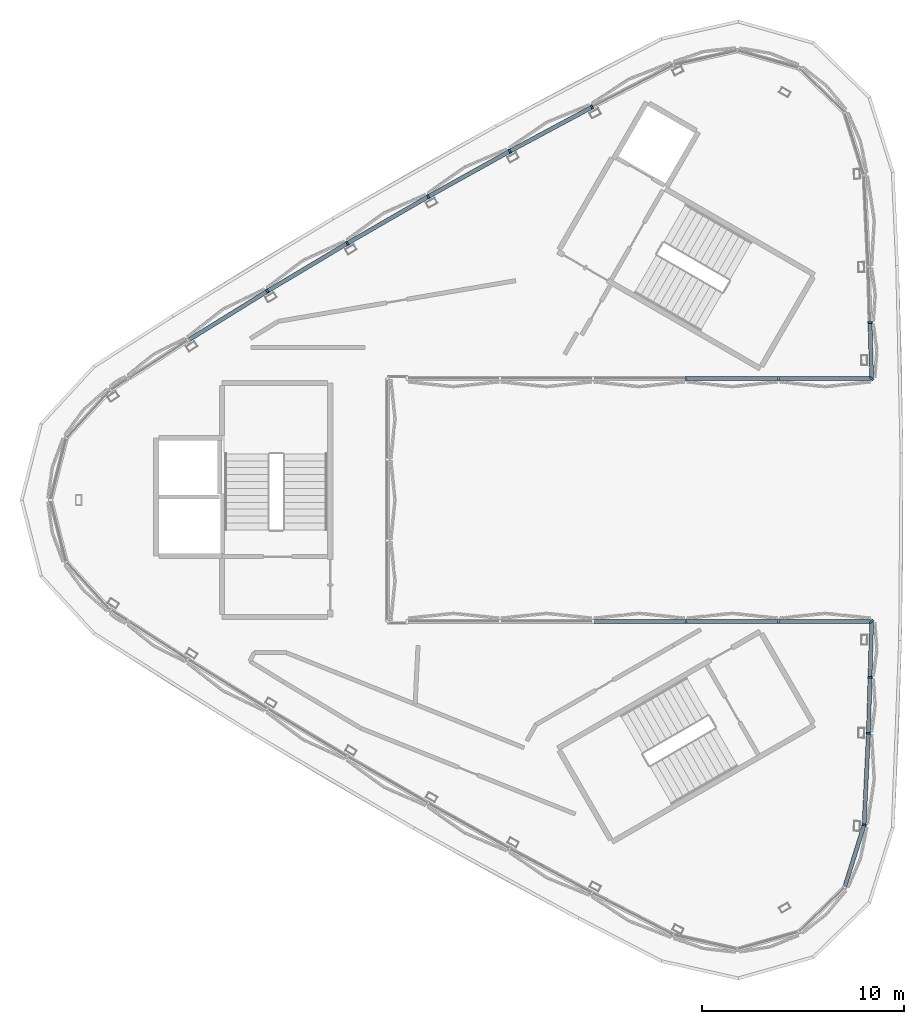
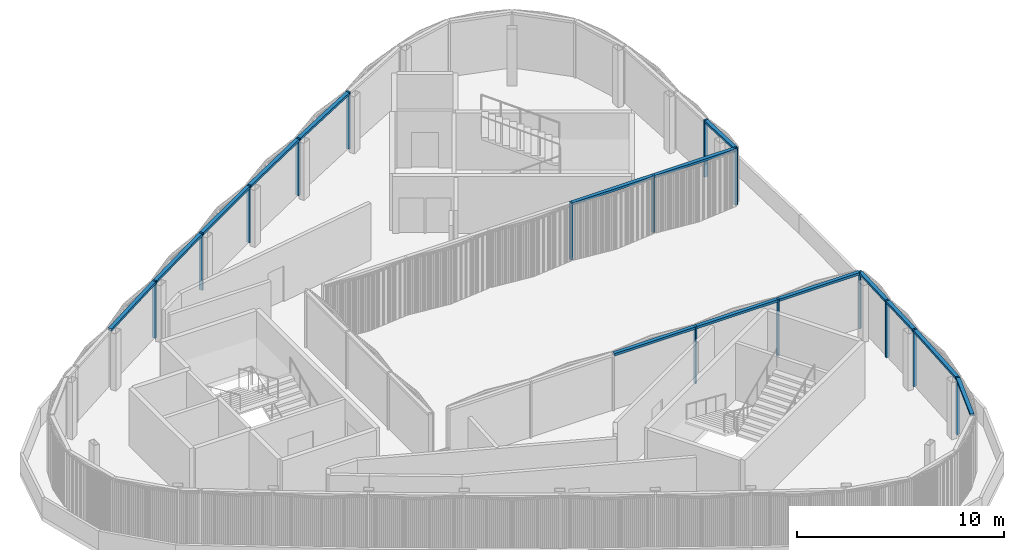
# One storey, part 4 of 16: 27 members, 2 elements without a shape of their own.
"""IFC4 building model written with IfcOpenShell, lengths in metres."""

from ifc_helpers import new_model, si_unit, direction, frame, origin, origin_2d, place, context, subcontext, project, spatial, rectangle, extrude, material, material_profile, profile_set, type_object, element, aggregate, save


model = new_model("IFC4")

# Units and contexts
model_context = context("Model", 3, precision=1e-05, world=origin(), true_north=direction((0.0, 1.0)))
body_context = subcontext(model_context, "Body", "Model", "MODEL_VIEW")
ifc_project = project(units=[si_unit("LENGTHUNIT", "METRE"), si_unit("AREAUNIT", "SQUARE_METRE"), si_unit("VOLUMEUNIT", "CUBIC_METRE"), si_unit("PLANEANGLEUNIT", "RADIAN"), si_unit("MASSUNIT", "GRAM", prefix="KILO")], contexts=[model_context])

# Site, building, storey
site_placement = place(None, origin())
site = spatial("IfcSite", under=ifc_project, at=site_placement, CompositionType="ELEMENT")
building_placement = place(site_placement, origin())
building = spatial("IfcBuilding", under=site, at=building_placement, Name="Tamra Quay Hotel Tower", CompositionType="ELEMENT")
storey_placement = place(building_placement, frame((0.0, 0.0, 320.60009765625)))
storey = spatial("IfcBuildingStorey", under=building, at=storey_placement, Name="Roof crown 1", CompositionType="ELEMENT", Elevation=320.60009765625)

# Curtain wall, members
ifc_material = material(Name="Aluminium 6063 anodised dark grey", Category="aluminium")
curtain_wall_type = type_object("IfcCurtainWallType", Name="CW6 CURTAIN WALL", PredefinedType="NOTDEFINED", material=ifc_material)
curtain_wall_1_placement = place(storey_placement, origin())
curtain_wall_1 = element("IfcCurtainWall", 1, at=curtain_wall_1_placement, inside=storey, type_object=curtain_wall_type, Name="CW6 lantern A face Roof crown 1", PredefinedType="NOTDEFINED")
ifc_material_profile_1 = material_profile(ifc_material, rectangle(XDim=0.199951171875, YDim=0.10009765625, at=origin_2d()), Name="MULLION 100X200")
ifc_profile_set_1 = profile_set([ifc_material_profile_1], Name="Aluminium 6063 anodised dark grey")
member_type_1 = type_object("IfcMemberType", Name="MULLION CW6", PredefinedType="MULLION", material=ifc_profile_set_1)
member_1_placement = place(storey_placement, frame((2.10009765625, 19.419677734375, 0.0), z_axis=(0.0, 0.0, 1.0), x_axis=(-0.465815600445, 0.884881814923, 0.0)))
member_1 = element("IfcMember", 2, at=member_1_placement, type_object=member_type_1, Name="CW6 mullion Roof crown 1.A.7", PredefinedType="MULLION", context=body_context, shape_type="SweptSolid", body=[
    extrude(rectangle(XDim=0.199951171875, YDim=0.10009765625, at=origin_2d()), origin(), (0.0, 0.0, 1.0), 3.349853515625),
])
member_2_placement = place(storey_placement, frame((-1.96435546875, 17.239501953125, 0.0), z_axis=(0.0, 0.0, 1.0), x_axis=(-0.479565116943, 0.877506295483, 0.0)))
member_2 = element("IfcMember", 3, at=member_2_placement, type_object=member_type_1, Name="CW6 mullion Roof crown 1.A.8", PredefinedType="MULLION", context=body_context, shape_type="SweptSolid", body=[
    extrude(rectangle(XDim=0.199951171875, YDim=0.10009765625, at=origin_2d()), origin(), (0.0, 0.0, 1.0), 3.349853515625),
])
member_3_placement = place(storey_placement, frame((-5.99462890625, 14.995849609375, 0.0), z_axis=(0.0, 0.0, 1.0), x_axis=(-0.493215722033, 0.869907036148, 0.0)))
member_3 = element("IfcMember", 4, at=member_3_placement, type_object=member_type_1, Name="CW6 mullion Roof crown 1.A.9", PredefinedType="MULLION", context=body_context, shape_type="SweptSolid", body=[
    extrude(rectangle(XDim=0.199951171875, YDim=0.10009765625, at=origin_2d()), origin(), (0.0, 0.0, 1.0), 3.349853515625),
])
member_4_placement = place(storey_placement, frame((-9.989501953125, 12.689453125, 0.0), z_axis=(0.0, 0.0, 1.0), x_axis=(-0.506753731218, 0.862090862901, 0.0)))
member_4 = element("IfcMember", 5, at=member_4_placement, type_object=member_type_1, Name="CW6 mullion Roof crown 1.A.10", PredefinedType="MULLION", context=body_context, shape_type="SweptSolid", body=[
    extrude(rectangle(XDim=0.199951171875, YDim=0.10009765625, at=origin_2d()), origin(), (0.0, 0.0, 1.0), 3.349853515625),
])
member_5_placement = place(storey_placement, frame((-13.947509765625, 10.321044921875, 0.0), z_axis=(0.0, 0.0, 1.0), x_axis=(-0.520160185397, 0.854068721783, 0.0)))
member_5 = element("IfcMember", 6, at=member_5_placement, type_object=member_type_1, Name="CW6 mullion Roof crown 1.A.11", PredefinedType="MULLION", context=body_context, shape_type="SweptSolid", body=[
    extrude(rectangle(XDim=0.199951171875, YDim=0.10009765625, at=origin_2d()), origin(), (0.0, 0.0, 1.0), 3.349853515625),
])
member_6_placement = place(storey_placement, frame((6.740966796875, 6.0, 0.0), z_axis=(0.0, 0.0, 1.0), x_axis=(0.0, -1.0, 0.0)))
member_6 = element("IfcMember", 7, at=member_6_placement, type_object=member_type_1, Name="CW6 mullion Roof crown 1.A.16", PredefinedType="MULLION", context=body_context, shape_type="SweptSolid", body=[
    extrude(rectangle(XDim=0.199951171875, YDim=0.10009765625, at=origin_2d()), origin(), (0.0, 0.0, 1.0), 3.349853515625),
])
member_7_placement = place(storey_placement, frame((11.333740234375, 6.0, 0.0), z_axis=(0.0, 0.0, 1.0), x_axis=(0.0, -1.0, 0.0)))
member_7 = element("IfcMember", 8, at=member_7_placement, type_object=member_type_1, Name="CW6 mullion Roof crown 1.A.17", PredefinedType="MULLION", context=body_context, shape_type="SweptSolid", body=[
    extrude(rectangle(XDim=0.199951171875, YDim=0.10009765625, at=origin_2d()), origin(), (0.0, 0.0, 1.0), 3.349853515625),
])
member_8_placement = place(storey_placement, frame((15.92626953125, 6.0, 0.0), z_axis=(0.0, 0.0, 1.0), x_axis=(0.717164497017, -0.696903927538, 0.0)))
member_8 = element("IfcMember", 9, at=member_8_placement, type_object=member_type_1, Name="CW6 mullion Roof crown 1.A.18", PredefinedType="MULLION", context=body_context, shape_type="SweptSolid", body=[
    extrude(rectangle(XDim=0.199951171875, YDim=0.10009765625, at=origin_2d()), origin(), (0.0, 0.0, 1.0), 3.349853515625),
])
member_9_placement = place(storey_placement, frame((15.84716796875, 8.76416015625, 0.0), z_axis=(0.0, 0.0, 1.0), x_axis=(0.999589509324, 0.028649831581, 0.0)))
member_9 = element("IfcMember", 10, at=member_9_placement, type_object=member_type_1, Name="CW6 mullion Roof crown 1.A.19", PredefinedType="MULLION", context=body_context, shape_type="SweptSolid", body=[
    extrude(rectangle(XDim=0.199951171875, YDim=0.10009765625, at=origin_2d()), origin(), (0.0, 0.0, 1.0), 3.349853515625),
])

curtain_wall_2_placement = place(storey_placement, origin())
curtain_wall_2 = element("IfcCurtainWall", 11, at=curtain_wall_2_placement, inside=storey, type_object=curtain_wall_type, Name="CW6 lantern B face Roof crown 1", PredefinedType="NOTDEFINED")
member_10_placement = place(storey_placement, frame((15.92626953125, -6.0, 0.0), z_axis=(0.0, 0.0, 1.0), x_axis=(0.717164497017, 0.696903927538, 0.0)))
member_10 = element("IfcMember", 12, at=member_10_placement, type_object=member_type_1, Name="CW6 mullion Roof crown 1.B.1", PredefinedType="MULLION", context=body_context, shape_type="SweptSolid", body=[
    extrude(rectangle(XDim=0.199951171875, YDim=0.10009765625, at=origin_2d()), origin(), (0.0, 0.0, 1.0), 3.349853515625),
])
member_11_placement = place(storey_placement, frame((11.333740234375, -6.0, 0.0), z_axis=(0.0, 0.0, 1.0), x_axis=(0.0, 1.0, 0.0)))
member_11 = element("IfcMember", 13, at=member_11_placement, type_object=member_type_1, Name="CW6 mullion Roof crown 1.B.2", PredefinedType="MULLION", context=body_context, shape_type="SweptSolid", body=[
    extrude(rectangle(XDim=0.199951171875, YDim=0.10009765625, at=origin_2d()), origin(), (0.0, 0.0, 1.0), 3.349853515625),
])
member_12_placement = place(storey_placement, frame((6.740966796875, -6.0, 0.0), z_axis=(0.0, 0.0, 1.0), x_axis=(0.0, 1.0, 0.0)))
member_12 = element("IfcMember", 14, at=member_12_placement, type_object=member_type_1, Name="CW6 mullion Roof crown 1.B.3", PredefinedType="MULLION", context=body_context, shape_type="SweptSolid", body=[
    extrude(rectangle(XDim=0.199951171875, YDim=0.10009765625, at=origin_2d()), origin(), (0.0, 0.0, 1.0), 3.349853515625),
])
member_13_placement = place(storey_placement, frame((15.555419921875, -16.063720703125, 0.0), z_axis=(0.0, 0.0, 1.0), x_axis=(0.984739916253, -0.174032460585, 0.0)))
member_13 = element("IfcMember", 15, at=member_13_placement, type_object=member_type_1, Name="CW6 mullion Roof crown 1.B.17", PredefinedType="MULLION", context=body_context, shape_type="SweptSolid", body=[
    extrude(rectangle(XDim=0.199951171875, YDim=0.10009765625, at=origin_2d()), origin(), (0.0, 0.0, 1.0), 3.349853515625),
])
member_14_placement = place(storey_placement, frame((15.767822265625, -11.528564453125, 0.0), z_axis=(0.0, 0.0, 1.0), x_axis=(0.999287700876, -0.037737128642, 0.0)))
member_14 = element("IfcMember", 16, at=member_14_placement, type_object=member_type_1, Name="CW6 mullion Roof crown 1.B.18", PredefinedType="MULLION", context=body_context, shape_type="SweptSolid", body=[
    extrude(rectangle(XDim=0.199951171875, YDim=0.10009765625, at=origin_2d()), origin(), (0.0, 0.0, 1.0), 3.349853515625),
])
member_15_placement = place(storey_placement, frame((15.84716796875, -8.76416015625, 0.0), z_axis=(0.0, 0.0, 1.0), x_axis=(0.999589509324, -0.028649831581, 0.0)))
member_15 = element("IfcMember", 17, at=member_15_placement, type_object=member_type_1, Name="CW6 mullion Roof crown 1.B.19", PredefinedType="MULLION", context=body_context, shape_type="SweptSolid", body=[
    extrude(rectangle(XDim=0.199951171875, YDim=0.10009765625, at=origin_2d()), origin(), (0.0, 0.0, 1.0), 3.349853515625),
])

# Member
ifc_material_profile_2 = material_profile(ifc_material, rectangle(XDim=0.199951171875, YDim=0.139892578125, at=origin_2d()), Name="TRANSOM 200X140")
ifc_profile_set_2 = profile_set([ifc_material_profile_2], Name="Aluminium 6063 anodised dark grey")
member_type_2 = type_object("IfcMemberType", Name="TRANSOM CW6", PredefinedType="USERDEFINED", material=ifc_profile_set_2)
member_16_placement = place(storey_placement, frame((2.055908203125, 19.39599609375, 3.27978515625), z_axis=(-0.881213593075, -0.47271831293, 0.0), x_axis=(0.47271831293, -0.881213593075, 0.0)))
member_16 = element("IfcMember", 18, at=member_16_placement, type_object=member_type_2, Name="CW6 transom Roof crown 1.A.7", ObjectType="TRANSOM", PredefinedType="USERDEFINED", context=body_context, shape_type="SweptSolid", body=[
    extrude(rectangle(XDim=0.199951171875, YDim=0.139892578125, at=origin_2d()), origin(), (0.0, 0.0, 1.0), 4.51220703125),
])

member_17_placement = place(storey_placement, frame((-2.008056640625, 17.215087890625, 3.27978515625), z_axis=(-0.8737256573, -0.486419033114, 0.0), x_axis=(0.486419033114, -0.8737256573, 0.0)))
member_17 = element("IfcMember", 19, at=member_17_placement, type_object=member_type_2, Name="CW6 transom Roof crown 1.A.8", ObjectType="TRANSOM", PredefinedType="USERDEFINED", context=body_context, shape_type="SweptSolid", body=[
    extrude(rectangle(XDim=0.199951171875, YDim=0.139892578125, at=origin_2d()), origin(), (0.0, 0.0, 1.0), 4.5126953125),
])

member_18_placement = place(storey_placement, frame((-6.0380859375, 14.970703125, 3.27978515625), z_axis=(-0.86601710485, -0.5000143739, 0.0), x_axis=(0.5000143739, -0.86601710485, 0.0)))
member_18 = element("IfcMember", 20, at=member_18_placement, type_object=member_type_2, Name="CW6 transom Roof crown 1.A.9", ObjectType="TRANSOM", PredefinedType="USERDEFINED", context=body_context, shape_type="SweptSolid", body=[
    extrude(rectangle(XDim=0.199951171875, YDim=0.139892578125, at=origin_2d()), origin(), (0.0, 0.0, 1.0), 4.512451171875),
])

member_19_placement = place(storey_placement, frame((-10.0322265625, 12.663818359375, 3.27978515625), z_axis=(-0.858103349305, -0.513477012058, 0.0), x_axis=(0.513477012058, -0.858103349305, 0.0)))
member_19 = element("IfcMember", 21, at=member_19_placement, type_object=member_type_2, Name="CW6 transom Roof crown 1.A.10", ObjectType="TRANSOM", PredefinedType="USERDEFINED", context=body_context, shape_type="SweptSolid", body=[
    extrude(rectangle(XDim=0.199951171875, YDim=0.139892578125, at=origin_2d()), origin(), (0.0, 0.0, 1.0), 4.5126953125),
])

member_20_placement = place(storey_placement, frame((-13.989990234375, 10.294677734375, 3.27978515625), z_axis=(-0.849980220175, -0.526814602409, 0.0), x_axis=(0.526814602409, -0.849980220175, 0.0)))
member_20 = element("IfcMember", 22, at=member_20_placement, type_object=member_type_2, Name="CW6 transom Roof crown 1.A.11", ObjectType="TRANSOM", PredefinedType="USERDEFINED", context=body_context, shape_type="SweptSolid", body=[
    extrude(rectangle(XDim=0.199951171875, YDim=0.139892578125, at=origin_2d()), origin(), (0.0, 0.0, 1.0), 4.512451171875),
])

member_21_placement = place(storey_placement, frame((6.790771484375, 6.0, 3.27978515625), z_axis=(1.0, 0.0, 0.0), x_axis=(0.0, 1.0, 0.0)))
member_21 = element("IfcMember", 23, at=member_21_placement, type_object=member_type_2, Name="CW6 transom Roof crown 1.A.16", ObjectType="TRANSOM", PredefinedType="USERDEFINED", context=body_context, shape_type="SweptSolid", body=[
    extrude(rectangle(XDim=0.199951171875, YDim=0.139892578125, at=origin_2d()), origin(), (0.0, 0.0, 1.0), 9.085693359375),
])

member_22_placement = place(storey_placement, frame((15.925048828125, 6.050048828125, 3.27978515625), z_axis=(-0.02866959947, 0.999588942549, 0.0), x_axis=(-0.999588942549, -0.02866959947, 0.0)))
member_22 = element("IfcMember", 24, at=member_22_placement, type_object=member_type_2, Name="CW6 transom Roof crown 1.A.18", ObjectType="TRANSOM", PredefinedType="USERDEFINED", context=body_context, shape_type="SweptSolid", body=[
    extrude(rectangle(XDim=0.199951171875, YDim=0.139892578125, at=origin_2d()), origin(), (0.0, 0.0, 1.0), 2.665283203125),
])

aggregate(curtain_wall_1, [member_1, member_16, member_2, member_17, member_3, member_18, member_4, member_19, member_5, member_20, member_6, member_21, member_7, member_8, member_22, member_9])

member_23_placement = place(storey_placement, frame((15.87646484375, -6.0, 3.27978515625), z_axis=(-1.0, 0.0, 0.0), x_axis=(0.0, -1.0, 0.0)))
member_23 = element("IfcMember", 25, at=member_23_placement, type_object=member_type_2, Name="CW6 transom Roof crown 1.B.1", ObjectType="TRANSOM", PredefinedType="USERDEFINED", context=body_context, shape_type="SweptSolid", body=[
    extrude(rectangle(XDim=0.199951171875, YDim=0.139892578125, at=origin_2d()), origin(), (0.0, 0.0, 1.0), 13.67822265625),
])

member_24_placement = place(storey_placement, frame((14.605712890625, -19.1015625, 3.27978515625), z_axis=(0.298403676177, 0.954439755063, 0.0), x_axis=(-0.954439755063, 0.298403676177, 0.0)))
member_24 = element("IfcMember", 26, at=member_24_placement, type_object=member_type_2, Name="CW6 transom Roof crown 1.B.16", ObjectType="TRANSOM", PredefinedType="USERDEFINED", context=body_context, shape_type="SweptSolid", body=[
    extrude(rectangle(XDim=0.199951171875, YDim=0.139892578125, at=origin_2d()), origin(), (0.0, 0.0, 1.0), 3.1328125),
])

member_25_placement = place(storey_placement, frame((15.5576171875, -16.013916015625, 3.27978515625), z_axis=(0.046844159112, 0.998902209807, 0.0), x_axis=(-0.998902209807, 0.046844159112, 0.0)))
member_25 = element("IfcMember", 27, at=member_25_placement, type_object=member_type_2, Name="CW6 transom Roof crown 1.B.17", ObjectType="TRANSOM", PredefinedType="USERDEFINED", context=body_context, shape_type="SweptSolid", body=[
    extrude(rectangle(XDim=0.199951171875, YDim=0.139892578125, at=origin_2d()), origin(), (0.0, 0.0, 1.0), 4.4404296875),
])

member_26_placement = place(storey_placement, frame((15.769287109375, -11.478515625, 3.27978515625), z_axis=(0.02866959947, 0.999588942549, 0.0), x_axis=(-0.999588942549, 0.02866959947, 0.0)))
member_26 = element("IfcMember", 28, at=member_26_placement, type_object=member_type_2, Name="CW6 transom Roof crown 1.B.18", ObjectType="TRANSOM", PredefinedType="USERDEFINED", context=body_context, shape_type="SweptSolid", body=[
    extrude(rectangle(XDim=0.199951171875, YDim=0.139892578125, at=origin_2d()), origin(), (0.0, 0.0, 1.0), 2.665283203125),
])

member_27_placement = place(storey_placement, frame((15.8486328125, -8.71435546875, 3.27978515625), z_axis=(0.02866959947, 0.999588942549, 0.0), x_axis=(-0.999588942549, 0.02866959947, 0.0)))
member_27 = element("IfcMember", 29, at=member_27_placement, type_object=member_type_2, Name="CW6 transom Roof crown 1.B.19", ObjectType="TRANSOM", PredefinedType="USERDEFINED", context=body_context, shape_type="SweptSolid", body=[
    extrude(rectangle(XDim=0.199951171875, YDim=0.139892578125, at=origin_2d()), origin(), (0.0, 0.0, 1.0), 2.665283203125),
])

aggregate(curtain_wall_2, [member_10, member_23, member_11, member_12, member_24, member_13, member_25, member_14, member_26, member_15, member_27])

save(model, "model.ifc")
